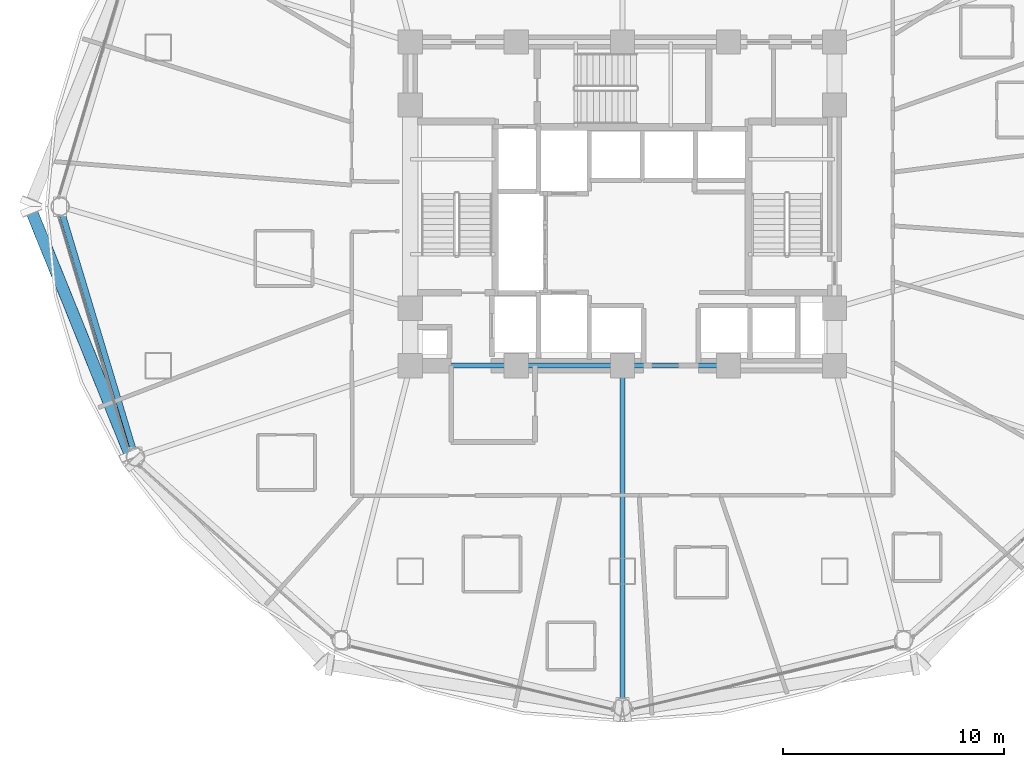
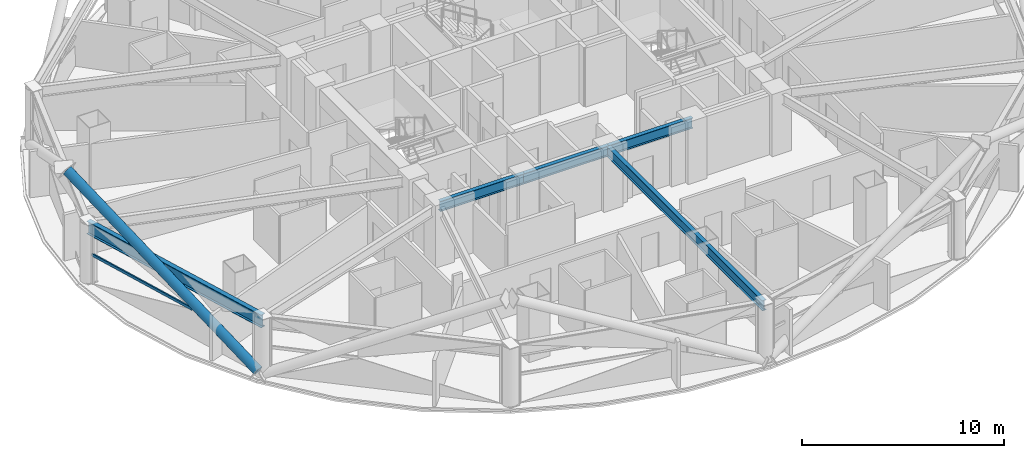
# One storey, part 5 of 31: 5 beams, 2 members, 1 element without a shape of its own.
"""IFC4 building model written with IfcOpenShell, lengths in metres."""

from ifc_helpers import new_model, si_unit, direction, frame, origin, origin_2d, place, context, subcontext, project, spatial, hollow_rectangle, hollow_circle, i_section, extrude, material, layer, layer_set, material_profile, profile_set, type_object, element, aggregate, save


model = new_model("IFC4")

# Units and contexts
model_context = context("Model", 3, precision=1e-05, world=origin(), true_north=direction((0.0, 1.0)))
body_context = subcontext(model_context, "Body", "Model", "MODEL_VIEW")
ifc_project = project(units=[si_unit("LENGTHUNIT", "METRE"), si_unit("AREAUNIT", "SQUARE_METRE"), si_unit("VOLUMEUNIT", "CUBIC_METRE"), si_unit("PLANEANGLEUNIT", "RADIAN"), si_unit("MASSUNIT", "GRAM", prefix="KILO")], contexts=[model_context])

# Site, building, storey
site_placement = place(None, origin())
site = spatial("IfcSite", under=ifc_project, at=site_placement, CompositionType="ELEMENT")
building_placement = place(site_placement, origin())
building = spatial("IfcBuilding", under=site, at=building_placement, Name="Vantalir Tower", CompositionType="ELEMENT")
storey_placement = place(building_placement, frame((0.0, 0.0, 34.5)))
storey = spatial("IfcBuildingStorey", under=building, at=storey_placement, Name="L07", CompositionType="ELEMENT", Elevation=34.5)

# Beams
ifc_material_1 = material(Name="Steel S355", Category="steel")
ifc_material_profile_1 = material_profile(ifc_material_1, i_section(OverallWidth=0.22998046875, OverallDepth=0.616943359375, WebThickness=0.01318359375, FlangeThickness=0.022216796875, at=origin_2d()), Name="Steel S355")
ifc_profile_set_1 = profile_set([ifc_material_profile_1], Name="Steel S355")
beam_type_1 = type_object("IfcBeamType", Name="BM-RB-610x229", PredefinedType="BEAM", material=ifc_profile_set_1)
for number, where, z_axis, x_axis, name in (
    (1, (21.89990234375, 17.800048828125, 3.261962890625), (1.0, 0.0, 0.0), (0.0, 1.0, 0.0), "L07 Core Coupling Girder 01"),
    (2, (26.699951171875, 17.800048828125, 3.261962890625), (1.0, 0.0, 0.0), (0.0, 1.0, 0.0), "L07 Core Coupling Girder 02"),
    (3, (31.5, 17.800048828125, 3.261962890625), (1.0, 0.0, 0.0), (0.0, 1.0, 0.0), "L07 Core Coupling Girder 03"),
):
    element("IfcBeam", number, at=place(storey_placement, frame(where, z_axis=z_axis, x_axis=x_axis)), inside=storey, type_object=beam_type_1, Name=name, PredefinedType="BEAM", context=body_context, shape_type="SweptSolid", body=[
        extrude(i_section(OverallWidth=0.22998046875, OverallDepth=0.616943359375, WebThickness=0.01318359375, FlangeThickness=0.022216796875, at=origin_2d()), origin(), (0.0, 0.0, 1.0), 4.800048828125),
    ])
beam_1_placement = place(storey_placement, frame((31.5, 2.3359375, 3.261962890625), z_axis=(0.0, 1.0, 0.0), x_axis=(-1.0, 0.0, 0.0)))
element("IfcBeam", 4, at=beam_1_placement, inside=storey, type_object=beam_type_1, Name="L07 Radial Floor Beam 10", PredefinedType="BEAM", context=body_context, shape_type="SweptSolid", body=[
    extrude(i_section(OverallWidth=0.22998046875, OverallDepth=0.616943359375, WebThickness=0.01318359375, FlangeThickness=0.022216796875, at=origin_2d()), origin(), (0.0, 0.0, 1.0), 15.464111328125),
])
ifc_material_2 = material(Name="Steel S460", Category="steel")
ifc_material_profile_2 = material_profile(ifc_material_2, i_section(OverallWidth=0.26806640625, OverallDepth=0.77001953125, WebThickness=0.015625, FlangeThickness=0.025390625, at=origin_2d()), Name="Steel S460")
ifc_profile_set_2 = profile_set([ifc_material_profile_2], Name="Steel S460")
beam_type_2 = type_object("IfcBeamType", Name="BM-RG-762x267", PredefinedType="USERDEFINED", material=ifc_profile_set_2)
beam_2_placement = place(storey_placement, frame((6.050048828125, 25.0, 3.18505859375), z_axis=(0.288146508643, -0.957586335302, 0.0), x_axis=(0.957586335302, 0.288146508643, 0.0)))
element("IfcBeam", 5, at=beam_2_placement, inside=storey, type_object=beam_type_2, Name="L07 Circumferential Ring Girder 07", ObjectType="GIRDER", PredefinedType="USERDEFINED", context=body_context, shape_type="SweptSolid", body=[
    extrude(i_section(OverallWidth=0.26806640625, OverallDepth=0.77001953125, WebThickness=0.015625, FlangeThickness=0.025390625, at=origin_2d()), origin(), (0.0, 0.0, 1.0), 11.833984375),
])

# Curtain wall, member
ifc_material_3 = material(Name="Champagne-silver PVDF aluminium and double-silver Low-E glass", Category="aluminium")
ifc_layer = layer(ifc_material_3, 0.18994140625)
ifc_layer_set = layer_set([ifc_layer], Name="Champagne-silver PVDF aluminium and double-silver Low-E glass")
curtain_wall_type = type_object("IfcCurtainWallType", Name="CW-DIAMOND-Z1", PredefinedType="USERDEFINED", material=ifc_layer_set)
curtain_wall_placement = place(storey_placement, origin())
curtain_wall = element("IfcCurtainWall", 6, at=curtain_wall_placement, inside=storey, type_object=curtain_wall_type, Name="L07 Quilted Pyramid-Diamond Curtain Wall S07", ObjectType="UNITISED CURTAIN WALL", PredefinedType="USERDEFINED")
ifc_material_4 = material(Name="Champagne-silver PVDF aluminium 6063-T6", Category="aluminium")
ifc_material_profile_3 = material_profile(ifc_material_4, hollow_rectangle(XDim=0.074951171875, YDim=0.159912109375, WallThickness=0.00390625, at=origin_2d()), Name="Champagne-silver PVDF aluminium 6063-T6")
ifc_profile_set_3 = profile_set([ifc_material_profile_3], Name="Champagne-silver PVDF aluminium 6063-T6")
member_type_1 = type_object("IfcMemberType", Name="CWT-160x75", PredefinedType="USERDEFINED", material=ifc_profile_set_3)
member_1_placement = place(storey_placement, frame((5.9951171875, 24.550048828125, 1.784912109375), z_axis=(0.2844907833, -0.958678775303, 0.0), x_axis=(0.958678775303, 0.2844907833, 0.0)))
member_1 = element("IfcMember", 7, at=member_1_placement, type_object=member_type_1, Name="CW-L07-S07 Pyramid Fold Ridge Transom", ObjectType="TRANSOM", PredefinedType="USERDEFINED", context=body_context, shape_type="SweptSolid", body=[
    extrude(hollow_rectangle(XDim=0.074951171875, YDim=0.159912109375, WallThickness=0.00390625, at=origin_2d()), origin(), (0.0, 0.0, 1.0), 6.815673828125),
])
aggregate(curtain_wall, [member_1])

# Member
ifc_material_profile_4 = material_profile(ifc_material_2, hollow_circle(Radius=0.27001953125, WallThickness=0.044921875, at=origin_2d()), Name="Steel S460")
ifc_profile_set_4 = profile_set([ifc_material_profile_4], Name="Steel S460")
member_type_2 = type_object("IfcMemberType", Name="MEM-DB-540x45", PredefinedType="BRACE", material=ifc_profile_set_4)
member_2_placement = place(storey_placement, frame((9.22412109375, 13.7490234375, 0.18994140625), z_axis=(-0.324397774372, 0.801549988497, 0.502278508322), x_axis=(-0.926962548734, -0.375153879422, 0.0)))
element("IfcMember", 8, at=member_2_placement, inside=storey, type_object=member_type_2, Name="L07 Perimeter S460 Diagrid Brace R22R", PredefinedType="BRACE", context=body_context, shape_type="SweptSolid", body=[
    extrude(hollow_circle(Radius=0.27001953125, WallThickness=0.044921875, at=origin_2d()), origin(), (0.0, 0.0, 1.0), 13.81689453125),
])

save(model, "model.ifc")
